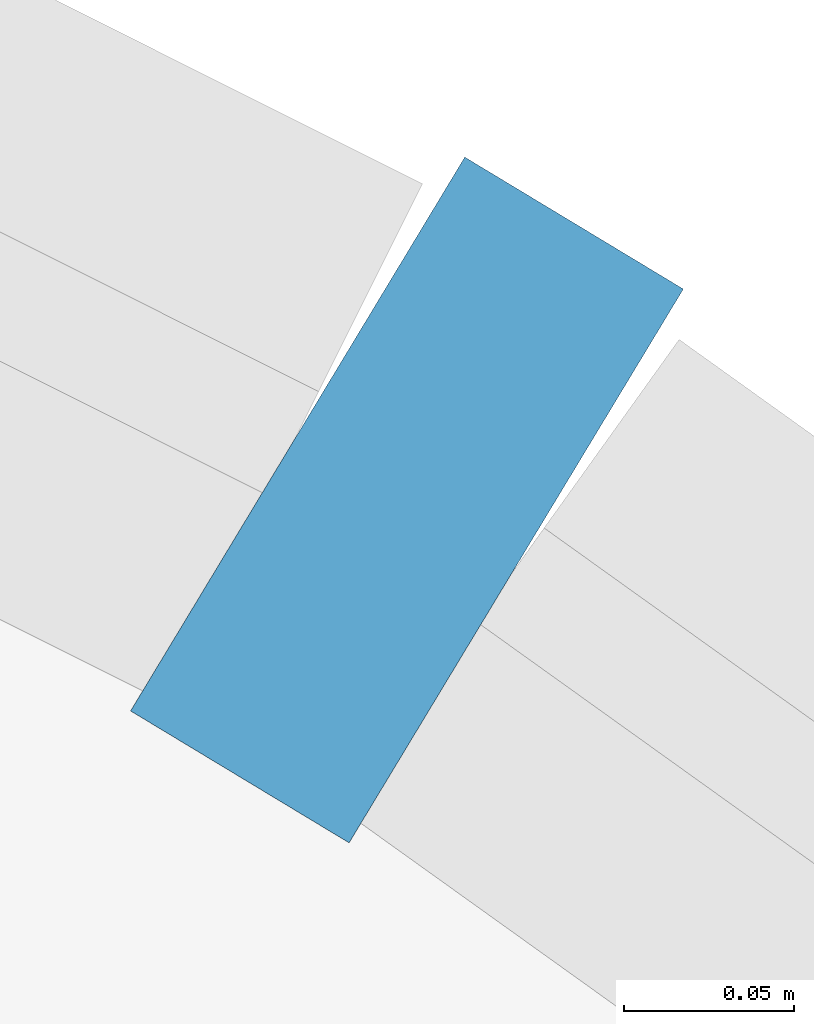
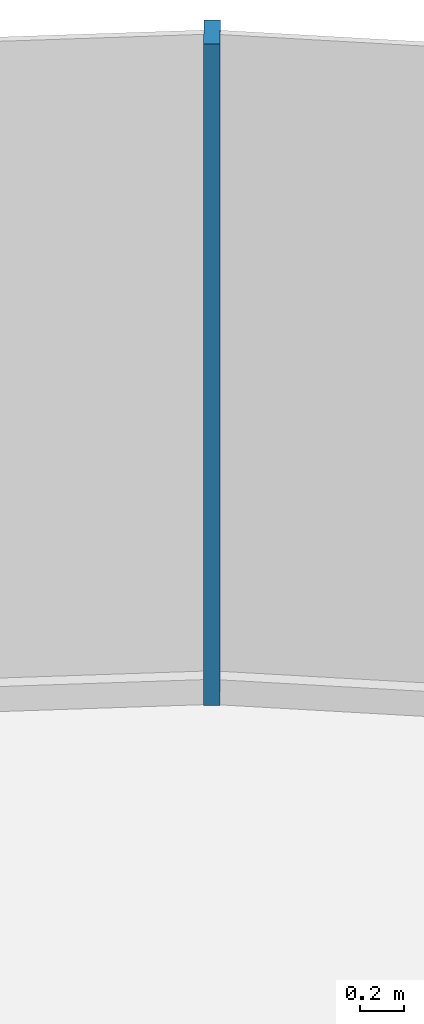
# One storey, part 8 of 18: 1 member, 1 element without a shape of its own.
"""IFC4 building model written with IfcOpenShell, lengths in metres."""

import ifcopenshell
import ifcopenshell.guid

model = None  # the IFC model being written
_history = None  # IfcOwnerHistory: only IFC2X3 demands one
_inside = {}  # id of a spatial element -> (the spatial element, [elements in it])
_under = {}  # id of a project, library or spatial element -> (it, [spatial elements below it])
_declared = {}  # id of a project -> (the project, [libraries it declares])
_typed = {}  # id of a type object -> (the type object, [elements of that type])
_made_of = {}  # id of a material, layer set ... -> (it, [elements and type objects made of it])


def new_model(schema):
    """Start an empty IFC model of exactly this schema.

    Asked for "IFC4X3", IfcOpenShell would pick the latest addendum, in which some entities
    have other attributes; the version numbers below select the first issue.
    IFC2X3 requires an IfcOwnerHistory on every rooted entity: one is made here for all.
    """
    global model, _history
    if schema == "IFC4X3":
        model = ifcopenshell.file(schema_version=(4, 3, 0, 0))
    else:
        model = ifcopenshell.file(schema=schema)
    _inside.clear()
    _under.clear()
    _declared.clear()
    _typed.clear()
    _made_of.clear()
    _history = None
    if model.schema == "IFC2X3":
        org = make("IfcOrganization", Name="unknown")
        user = make(
            "IfcPersonAndOrganization",
            ThePerson=make("IfcPerson", FamilyName="unknown"),
            TheOrganization=org,
        )
        app = make(
            "IfcApplication",
            ApplicationDeveloper=org,
            Version="unknown",
            ApplicationFullName="unknown",
            ApplicationIdentifier="unknown",
        )
        _history = make(
            "IfcOwnerHistory",
            OwningUser=user,
            OwningApplication=app,
            ChangeAction="ADDED",
            CreationDate=0,
        )
    return model


def make(cls, **values):
    """One entity of the class cls with the attributes given. An attribute that is None is left unset."""
    return model.create_entity(
        cls, **{name: value for name, value in values.items() if value is not None}
    )


def rooted(cls, **values):
    """An entity with a GlobalId (a new one), such as an element, a storey or a relation."""
    return make(cls, GlobalId=ifcopenshell.guid.new(), OwnerHistory=_history, **values)


def si_unit(unit_type, name, prefix=None):
    """IfcSIUnit, for example si_unit("LENGTHUNIT", "METRE", prefix="MILLI")."""
    return make("IfcSIUnit", UnitType=unit_type, Prefix=prefix, Name=name)


def assignment(units):
    """IfcUnitAssignment: the units of a project."""
    return None if units is None else make("IfcUnitAssignment", Units=units)


def point(xyz):
    """IfcCartesianPoint."""
    return None if xyz is None else make("IfcCartesianPoint", Coordinates=xyz)


def direction(xyz):
    """IfcDirection."""
    return None if xyz is None else make("IfcDirection", DirectionRatios=xyz)


def frame(location, z_axis=None, x_axis=None):
    """IfcAxis2Placement3D, a coordinate frame: its origin and axes. An axis left out is left unset."""
    return make(
        "IfcAxis2Placement3D",
        Location=point(location),
        Axis=direction(z_axis),
        RefDirection=direction(x_axis),
    )


def frame_2d(location, x_axis=None):
    """IfcAxis2Placement2D, a coordinate frame in the plane: its origin and x axis."""
    return make(
        "IfcAxis2Placement2D", Location=point(location), RefDirection=direction(x_axis)
    )


def origin():
    """The frame at (0, 0, 0) with its axes left unset."""
    return frame((0.0, 0.0, 0.0))


def origin_2d():
    """The frame at (0, 0) in the plane with its x axis left unset."""
    return frame_2d((0.0, 0.0))


def place(relative_to, where):
    """IfcLocalPlacement: puts the frame where relative to a parent placement (None: the world)."""
    return make(
        "IfcLocalPlacement", PlacementRelTo=relative_to, RelativePlacement=where
    )


def context(
    kind, dimensions, precision=None, world=None, true_north=None, identifier=None
):
    """IfcGeometricRepresentationContext, for example the 3D "Model" context."""
    return make(
        "IfcGeometricRepresentationContext",
        ContextIdentifier=identifier,
        ContextType=kind,
        CoordinateSpaceDimension=dimensions,
        Precision=precision,
        WorldCoordinateSystem=world,
        TrueNorth=true_north,
    )


def subcontext(parent, identifier, kind, view, scale=None):
    """IfcGeometricRepresentationSubContext, for example "Body" below "Model"."""
    return make(
        "IfcGeometricRepresentationSubContext",
        ContextIdentifier=identifier,
        ContextType=kind,
        ParentContext=parent,
        TargetScale=scale,
        TargetView=view,
    )


def project(units=None, contexts=None):
    """IfcProject with its units and contexts."""
    return rooted(
        "IfcProject",
        Name="project",
        RepresentationContexts=contexts,
        UnitsInContext=assignment(units),
    )


def spatial(cls, under=None, at=None, **own):
    """A site, building, storey or space (cls), placed at a placement, below another one or the project."""
    s = rooted(cls, ObjectPlacement=at, **own)
    if under is not None:
        _under.setdefault(under.id(), (under, []))[1].append(s)
    return s


def profile(cls, at=None, kind="AREA", **sizes):
    """A parametric profile (cls). Its sizes go by their IFC names, for example OverallWidth=200.0."""
    return make(cls, ProfileType=kind, Position=at, **sizes)


def rectangle(**sizes):
    """IfcRectangleProfileDef."""
    return profile("IfcRectangleProfileDef", **sizes)


def extrude(swept, where, along, depth):
    """IfcExtrudedAreaSolid: the profile swept, set in the frame where, extruded along a direction by depth."""
    return make(
        "IfcExtrudedAreaSolid",
        SweptArea=swept,
        Position=where,
        ExtrudedDirection=direction(along),
        Depth=depth,
    )


def shape(context_of_items, identifier, shape_type, items):
    """IfcShapeRepresentation: the items that make up one representation, for example the "Body"."""
    return make(
        "IfcShapeRepresentation",
        ContextOfItems=context_of_items,
        RepresentationIdentifier=identifier,
        RepresentationType=shape_type,
        Items=items,
    )


def source(mapping_origin, context_of_items, identifier, shape_type, items):
    """IfcRepresentationMap: a shape defined once, which mapped items show again and again."""
    return make(
        "IfcRepresentationMap",
        MappingOrigin=mapping_origin,
        MappedRepresentation=shape(context_of_items, identifier, shape_type, items),
    )


def transform(
    local_origin,
    x_axis=None,
    y_axis=None,
    z_axis=None,
    scale=None,
    scale2=None,
    scale3=None,
    uniform=True,
):
    """IfcCartesianTransformationOperator3D, or its non-uniform kind. x_axis, y_axis, z_axis: its Axis1, 2, 3."""
    if uniform:
        return make(
            "IfcCartesianTransformationOperator3D",
            Axis1=direction(x_axis),
            Axis2=direction(y_axis),
            LocalOrigin=point(local_origin),
            Scale=scale,
            Axis3=direction(z_axis),
        )
    return make(
        "IfcCartesianTransformationOperator3DnonUniform",
        Axis1=direction(x_axis),
        Axis2=direction(y_axis),
        LocalOrigin=point(local_origin),
        Scale=scale,
        Axis3=direction(z_axis),
        Scale2=scale2,
        Scale3=scale3,
    )


def mapped(mapping_source, mapping_target):
    """IfcMappedItem: shows the shape of a source again, moved by a transform."""
    return make(
        "IfcMappedItem", MappingSource=mapping_source, MappingTarget=mapping_target
    )


def material(Name=None, Category=None):
    """IfcMaterial."""
    return make("IfcMaterial", Name=Name, Category=Category)


def layer(
    of_material, thickness, ventilated=None, Name=None, Category=None, Priority=None
):
    """IfcMaterialLayer: one layer of a wall or slab, of a material (None: an air gap)."""
    return make(
        "IfcMaterialLayer",
        Material=of_material,
        LayerThickness=thickness,
        IsVentilated=ventilated,
        Name=Name,
        Category=Category,
        Priority=Priority,
    )


def layer_set(layers, Name=None):
    """IfcMaterialLayerSet."""
    return make("IfcMaterialLayerSet", MaterialLayers=layers, LayerSetName=Name)


def material_profile(
    of_material, cross_section, Name=None, Category=None, Priority=None
):
    """IfcMaterialProfile: a cross section and its material."""
    return make(
        "IfcMaterialProfile",
        Name=Name,
        Material=of_material,
        Profile=cross_section,
        Priority=Priority,
        Category=Category,
    )


def profile_set(profiles, Name=None, composite=None):
    """IfcMaterialProfileSet."""
    return make(
        "IfcMaterialProfileSet",
        Name=Name,
        MaterialProfiles=profiles,
        CompositeProfile=composite,
    )


def made_of(thing, what):
    """Note that an element or type object is made of a material, layer set ...; save() writes the relation."""
    if what is not None:
        _made_of.setdefault(what.id(), (what, []))[1].append(thing)
    return thing


def type_object(cls, material=None, **own):
    """A type object (cls), such as IfcWallType, which elements share."""
    return made_of(rooted(cls, **own), material)


def element(
    cls,
    number,
    at=None,
    inside=None,
    cuts=None,
    type_object=None,
    material=None,
    context=None,
    identifier="Body",
    shape_type=None,
    held_by="IfcProductDefinitionShape",
    body=None,
    shapes=None,
    **own,
):
    """One element of the class cls, such as IfcWall. Its Tag is "e" and its number.

    at: its placement. inside: the storey or other place that contains it. cuts: it is an
    opening in that element (IfcRelVoidsElement). A single representation is given by context,
    identifier, shape_type and body (its items); several are given by shapes. held_by: the class
    of the entity that holds the representations. save() writes the other relations.
    """
    e = rooted(cls, Tag="e%d" % number, ObjectPlacement=at, **own)
    if body is not None:
        shapes = [shape(context, identifier, shape_type, body)]
    if shapes is not None:
        e.Representation = make(held_by, Representations=shapes)
    if inside is not None:
        _inside.setdefault(inside.id(), (inside, []))[1].append(e)
    if cuts is not None:
        rooted(
            "IfcRelVoidsElement", RelatingBuildingElement=cuts, RelatedOpeningElement=e
        )
    if type_object is not None:
        _typed.setdefault(type_object.id(), (type_object, []))[1].append(e)
    return made_of(e, material)


def aggregate(whole, parts):
    """IfcRelAggregates: a whole, such as a stair, and the parts it consists of."""
    return rooted("IfcRelAggregates", RelatingObject=whole, RelatedObjects=parts)


def save(model, path):
    """Write the relations noted so far, then the file.

    IfcRelAggregates (storeys below a building ...), IfcRelContainedInSpatialStructure (elements
    in a storey), IfcRelDefinesByType, IfcRelAssociatesMaterial and IfcRelDeclares: one each for
    every whole, place, type object, material and project.
    """
    for whole, parts in _under.values():
        aggregate(whole, parts)
    for where, things in _inside.values():
        rooted(
            "IfcRelContainedInSpatialStructure",
            RelatedElements=things,
            RelatingStructure=where,
        )
    for kind, things in _typed.values():
        rooted("IfcRelDefinesByType", RelatedObjects=things, RelatingType=kind)
    for what, things in _made_of.values():
        rooted("IfcRelAssociatesMaterial", RelatedObjects=things, RelatingMaterial=what)
    for by, libraries in _declared.values():
        rooted("IfcRelDeclares", RelatingContext=by, RelatedDefinitions=libraries)
    model.write(path)


model = new_model("IFC4")

# Units and contexts
model_context = context("Model", 3, precision=1e-05, world=origin(), true_north=direction((0.0, 1.0)))
body_context = subcontext(model_context, "Body", "Model", "MODEL_VIEW")
ifc_project = project(units=[si_unit("LENGTHUNIT", "METRE"), si_unit("AREAUNIT", "SQUARE_METRE"), si_unit("VOLUMEUNIT", "CUBIC_METRE"), si_unit("PLANEANGLEUNIT", "RADIAN"), si_unit("MASSUNIT", "GRAM", prefix="KILO")], contexts=[model_context])

# Site, building, storey
site_placement = place(None, origin())
site = spatial("IfcSite", under=ifc_project, at=site_placement, CompositionType="ELEMENT")
building_placement = place(site_placement, origin())
building = spatial("IfcBuilding", under=site, at=building_placement, Name="Spindrift Exchange Tower", CompositionType="ELEMENT")
storey_placement = place(building_placement, frame((0.0, 0.0, 116.699951171875)))
storey = spatial("IfcBuildingStorey", under=building, at=storey_placement, Name="L27", CompositionType="ELEMENT", Elevation=116.699951171875)

# Curtain wall, member
ifc_material_1 = material(Name="Fritted laminated glass with bronze frame", Category="glass")
ifc_layer = layer(ifc_material_1, 0.18994140625)
ifc_layer_set = layer_set([ifc_layer], Name="ZONE 2 BRONZE FRITTED WALL")
curtain_wall_type = type_object("IfcCurtainWallType", Name="ZONE 2 BRONZE FRITTED WALL", PredefinedType="NOTDEFINED", material=ifc_layer_set)
curtain_wall_placement = place(storey_placement, origin())
curtain_wall = element("IfcCurtainWall", 1, at=curtain_wall_placement, inside=storey, type_object=curtain_wall_type, Name="L27 Zone 2 Bronze Fritted Wall run 1", PredefinedType="NOTDEFINED")
ifc_material_2 = material(Name="Bronze anodised aluminium", Category="aluminium")
ifc_material_profile = material_profile(ifc_material_2, rectangle(XDim=0.074951171875, YDim=0.18994140625, at=origin_2d()), Name="ZONE 2 BRONZE FRITTED WALL MULLION 75X190")
ifc_profile_set = profile_set([ifc_material_profile], Name="Bronze anodised aluminium")
member_type = type_object("IfcMemberType", Name="ZONE 2 BRONZE FRITTED WALL MULLION 75X190", PredefinedType="MULLION", material=ifc_profile_set)
shared_shape = source(origin(), body_context, "Body", "SweptSolid", [
    extrude(rectangle(XDim=0.074951171875, YDim=0.18994140625, at=origin_2d()), origin(), (0.0, 0.0, 1.0), 3.699951171875),
])
member_placement = place(storey_placement, frame((73.11474609375, 71.345458984375, 0.0), z_axis=(0.0, 0.0, 1.0), x_axis=(-0.856163879236, 0.516704375723, 0.0)))
member = element("IfcMember", 2, at=member_placement, type_object=member_type, Name="L27 mullion CW-2.4", PredefinedType="MULLION", context=body_context, shape_type="MappedRepresentation", body=[
    mapped(shared_shape, transform((0.0, 0.0, 0.0), scale=1.0)),
])
aggregate(curtain_wall, [member])

save(model, "model.ifc")
